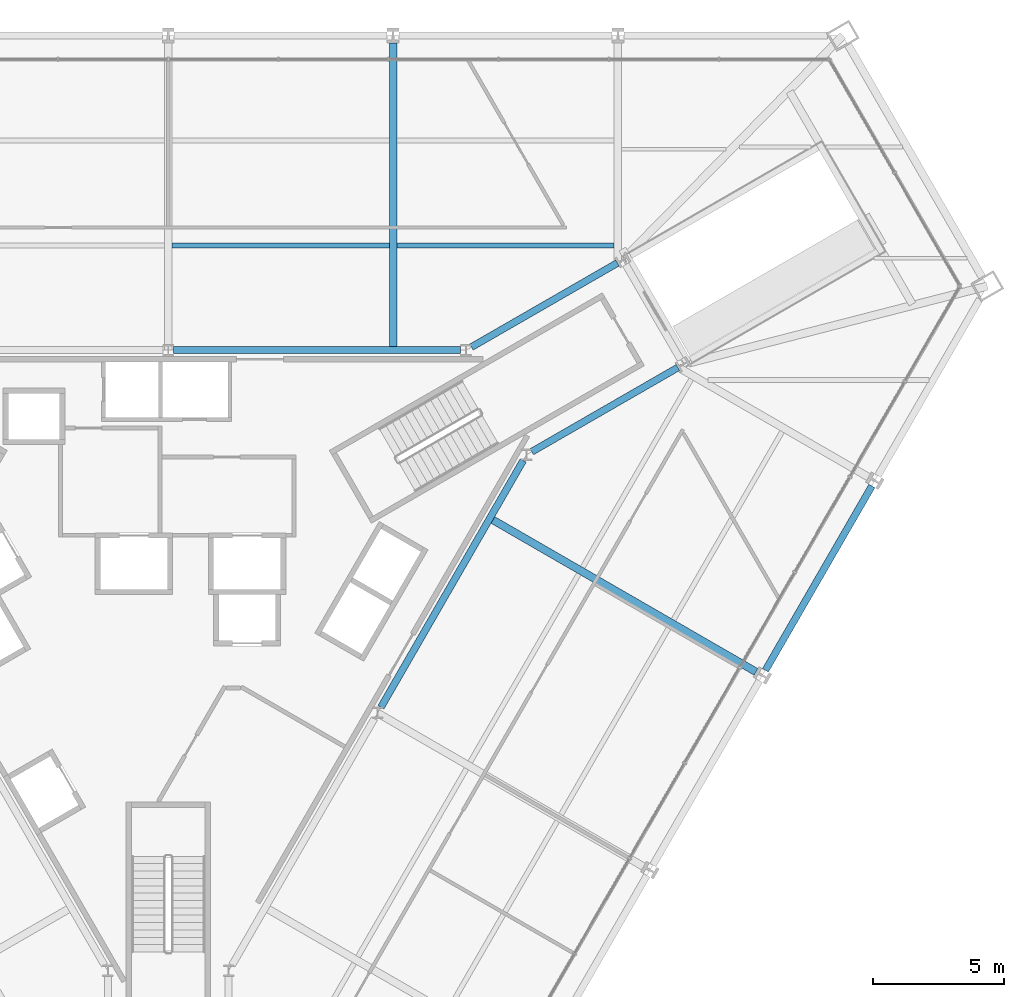
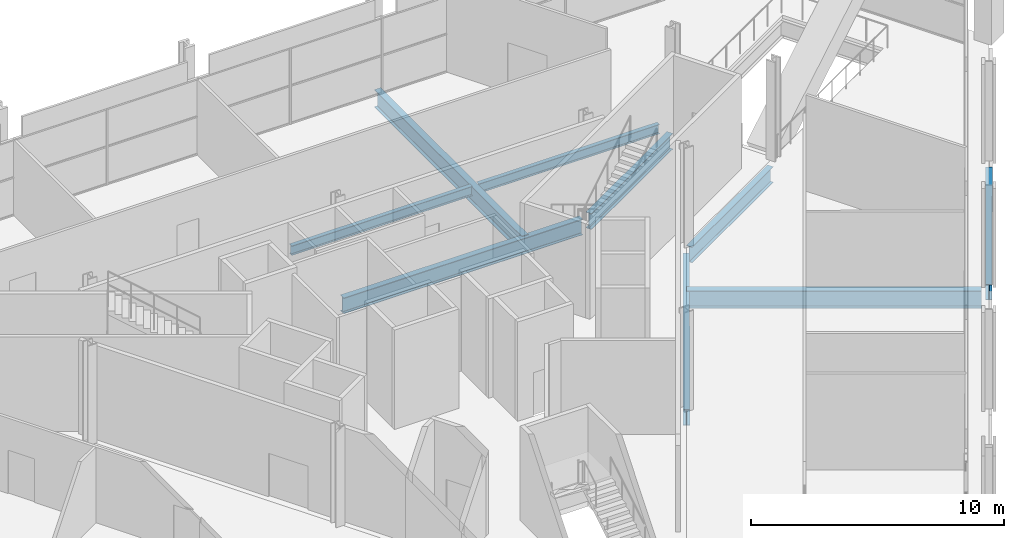
# One storey, part 8 of 18: 9 beams.
"""IFC4 building model written with IfcOpenShell, lengths in metres."""

from ifc_helpers import new_model, si_unit, direction, frame, origin, origin_2d, place, context, subcontext, project, spatial, i_section, extrude, material, material_profile, profile_set, type_object, element, save


model = new_model("IFC4")

# Units and contexts
model_context = context("Model", 3, precision=1e-05, world=origin(), true_north=direction((0.0, 1.0)))
body_context = subcontext(model_context, "Body", "Model", "MODEL_VIEW")
ifc_project = project(units=[si_unit("LENGTHUNIT", "METRE"), si_unit("AREAUNIT", "SQUARE_METRE"), si_unit("VOLUMEUNIT", "CUBIC_METRE"), si_unit("PLANEANGLEUNIT", "RADIAN"), si_unit("MASSUNIT", "GRAM", prefix="KILO")], contexts=[model_context])

# Site, building, storey
site_placement = place(None, origin())
site = spatial("IfcSite", under=ifc_project, at=site_placement, CompositionType="ELEMENT")
building_placement = place(site_placement, origin())
building = spatial("IfcBuilding", under=site, at=building_placement, Name="Verrane Prism Tower", CompositionType="ELEMENT")
storey_placement = place(building_placement, frame((0.0, 0.0, 22.39990234375)))
storey = spatial("IfcBuildingStorey", under=building, at=storey_placement, Name="L03", CompositionType="ELEMENT", Elevation=22.39990234375)

# Beams
ifc_material_1 = material(Name="Steel A992", Category="steel")
ifc_material_profile_1 = material_profile(ifc_material_1, i_section(OverallWidth=0.2666015625, OverallDepth=0.76708984375, WebThickness=0.014892578125, FlangeThickness=0.023681640625, FilletRadius=0.0166015625, at=origin_2d()), Name="W30x124")
ifc_profile_set_1 = profile_set([ifc_material_profile_1], Name="Steel A992")
beam_type_1 = type_object("IfcBeamType", Name="Core ring girder W30x124", PredefinedType="BEAM", material=ifc_profile_set_1)
for number, where, z_axis, x_axis, name in (
    (1, (13.835693359375, 5.338623046875, -0.63330078125), (0.866455356291, 0.499254559873, 0.0), (-0.499254559873, 0.866455356291, 0.0), "Core ring girder L03"),
    (2, (17.09423828125, 12.521484375, -0.63330078125), (-0.866455356291, -0.499254559873, 0.0), (0.499254559873, -0.866455356291, 0.0), "Core ring girder L03"),
):
    element("IfcBeam", number, at=place(storey_placement, frame(where, z_axis=z_axis, x_axis=x_axis)), inside=storey, type_object=beam_type_1, Name=name, PredefinedType="BEAM", context=body_context, shape_type="SweptSolid", body=[
        extrude(i_section(OverallWidth=0.2666015625, OverallDepth=0.76708984375, WebThickness=0.014892578125, FlangeThickness=0.023681640625, FilletRadius=0.0166015625, at=origin_2d()), origin(), (0.0, 0.0, 1.0), 6.415283203125),
    ])
beam_1_placement = place(storey_placement, frame((11.124267578125, 9.199951171875, -0.63330078125), z_axis=(-1.0, 0.0, 0.0), x_axis=(0.0, -1.0, 0.0)))
element("IfcBeam", 3, at=beam_1_placement, inside=storey, type_object=beam_type_1, Name="Core ring girder L03", PredefinedType="BEAM", context=body_context, shape_type="SweptSolid", body=[
    extrude(i_section(OverallWidth=0.2666015625, OverallDepth=0.76708984375, WebThickness=0.014892578125, FlangeThickness=0.023681640625, FilletRadius=0.0166015625, at=origin_2d()), origin(), (0.0, 0.0, 1.0), 10.91845703125),
])
beam_2_placement = place(storey_placement, frame((8.09521484375, -4.3828125, -0.63330078125), z_axis=(0.499373178085, 0.866386997253, 0.0), x_axis=(-0.866386997253, 0.499373178085, 0.0)))
element("IfcBeam", 4, at=beam_2_placement, inside=storey, type_object=beam_type_1, Name="Core ring girder L03", PredefinedType="BEAM", context=body_context, shape_type="SweptSolid", body=[
    extrude(i_section(OverallWidth=0.2666015625, OverallDepth=0.76708984375, WebThickness=0.014892578125, FlangeThickness=0.023681640625, FilletRadius=0.0166015625, at=origin_2d()), origin(), (0.0, 0.0, 1.0), 10.8330078125),
])
ifc_material_2 = material(Name="Steel A992", Category="steel")
ifc_material_profile_2 = material_profile(ifc_material_2, i_section(OverallWidth=0.1904296875, OverallDepth=0.457275390625, WebThickness=0.009033203125, FlangeThickness=0.014404296875, FilletRadius=0.01025390625, at=origin_2d()), Name="W18x50")
ifc_profile_set_2 = profile_set([ifc_material_profile_2], Name="Steel A992")
beam_type_2 = type_object("IfcBeamType", Name="Floor beam W18x50", PredefinedType="BEAM", material=ifc_profile_set_2)
beam_3_placement = place(storey_placement, frame((8.7060546875, 13.18994140625, -0.388427734375), z_axis=(1.0, 0.0, 0.0), x_axis=(0.0, 1.0, 0.0)))
element("IfcBeam", 5, at=beam_3_placement, inside=storey, type_object=beam_type_2, Name="Floor beam L03", PredefinedType="BEAM", context=body_context, shape_type="SweptSolid", body=[
    extrude(i_section(OverallWidth=0.1904296875, OverallDepth=0.457275390625, WebThickness=0.009033203125, FlangeThickness=0.014404296875, FilletRadius=0.01025390625, at=origin_2d()), origin(), (0.0, 0.0, 1.0), 8.258056640625),
])
beam_4_placement = place(storey_placement, frame((0.14599609375, 13.18994140625, -0.388427734375), z_axis=(1.0, 0.0, 0.0), x_axis=(0.0, 1.0, 0.0)))
element("IfcBeam", 6, at=beam_4_placement, inside=storey, type_object=beam_type_2, Name="Floor beam L03", PredefinedType="BEAM", context=body_context, shape_type="SweptSolid", body=[
    extrude(i_section(OverallWidth=0.1904296875, OverallDepth=0.457275390625, WebThickness=0.009033203125, FlangeThickness=0.014404296875, FilletRadius=0.01025390625, at=origin_2d()), origin(), (0.0, 0.0, 1.0), 8.26806640625),
])
ifc_material_3 = material(Name="Steel A992", Category="steel")
ifc_material_profile_3 = material_profile(ifc_material_3, i_section(OverallWidth=0.2919921875, OverallDepth=0.845703125, WebThickness=0.015380859375, FlangeThickness=0.0244140625, FilletRadius=0.017822265625, at=origin_2d()), Name="W33x141")
ifc_profile_set_3 = profile_set([ifc_material_profile_3], Name="Steel A992")
beam_type_3 = type_object("IfcBeamType", Name="Radial girder W33x141", PredefinedType="BEAM", material=ifc_profile_set_3)
beam_5_placement = place(storey_placement, frame((8.56005859375, 20.885498046875, -0.642822265625), z_axis=(0.0, -1.0, 0.0), x_axis=(1.0, 0.0, 0.0)))
element("IfcBeam", 7, at=beam_5_placement, inside=storey, type_object=beam_type_3, Name="Radial girder L03", PredefinedType="BEAM", context=body_context, shape_type="SweptSolid", body=[
    extrude(i_section(OverallWidth=0.2919921875, OverallDepth=0.845703125, WebThickness=0.015380859375, FlangeThickness=0.0244140625, FilletRadius=0.017822265625, at=origin_2d()), origin(), (0.0, 0.0, 1.0), 11.685546875),
])
beam_6_placement = place(storey_placement, frame((22.363525390625, -3.037841796875, -0.642822265625), z_axis=(-0.86602143351, 0.500006876654, 0.0), x_axis=(-0.500006876654, -0.86602143351, 0.0)))
element("IfcBeam", 8, at=beam_6_placement, inside=storey, type_object=beam_type_3, Name="Radial girder L03", PredefinedType="BEAM", context=body_context, shape_type="SweptSolid", body=[
    extrude(i_section(OverallWidth=0.2919921875, OverallDepth=0.845703125, WebThickness=0.015380859375, FlangeThickness=0.0244140625, FilletRadius=0.017822265625, at=origin_2d()), origin(), (0.0, 0.0, 1.0), 11.690185546875),
])
ifc_material_4 = material(Name="Steel A992", Category="steel")
ifc_material_profile_4 = material_profile(ifc_material_4, i_section(OverallWidth=0.2666015625, OverallDepth=0.76708984375, WebThickness=0.014892578125, FlangeThickness=0.023681640625, FilletRadius=0.0166015625, at=origin_2d()), Name="W30x124")
ifc_profile_set_4 = profile_set([ifc_material_profile_4], Name="Steel A992")
beam_type_4 = type_object("IfcBeamType", Name="Spandrel beam W30x124", PredefinedType="SPANDREL", material=ifc_profile_set_4)
beam_7_placement = place(storey_placement, frame((22.7236328125, -2.983154296875, -0.54345703125), z_axis=(0.500170167531, 0.865927135221, 0.0), x_axis=(-0.865927135221, 0.500170167531, 0.0)))
element("IfcBeam", 9, at=beam_7_placement, inside=storey, type_object=beam_type_4, Name="Spandrel beam L03", PredefinedType="SPANDREL", context=body_context, shape_type="SweptSolid", body=[
    extrude(i_section(OverallWidth=0.2666015625, OverallDepth=0.76708984375, WebThickness=0.014892578125, FlangeThickness=0.023681640625, FilletRadius=0.0166015625, at=origin_2d()), origin(), (0.0, 0.0, 1.0), 8.102783203125),
])

save(model, "model.ifc")
